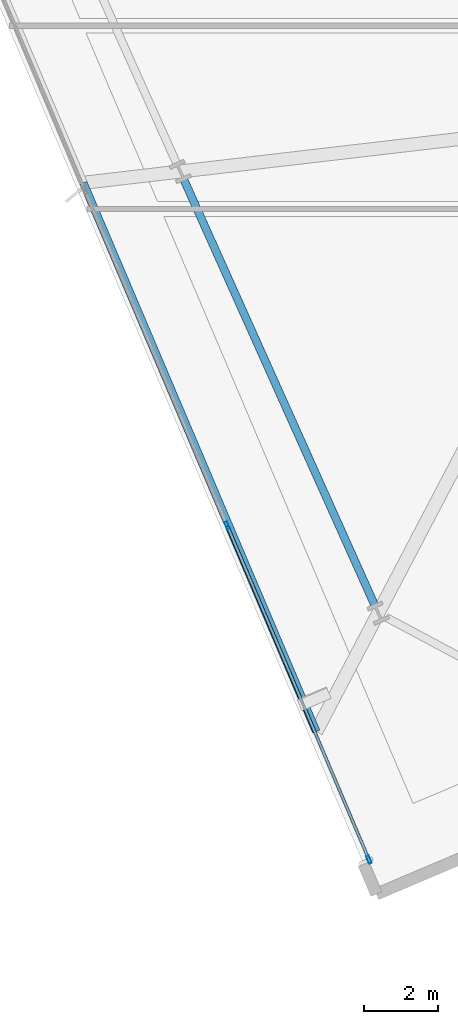
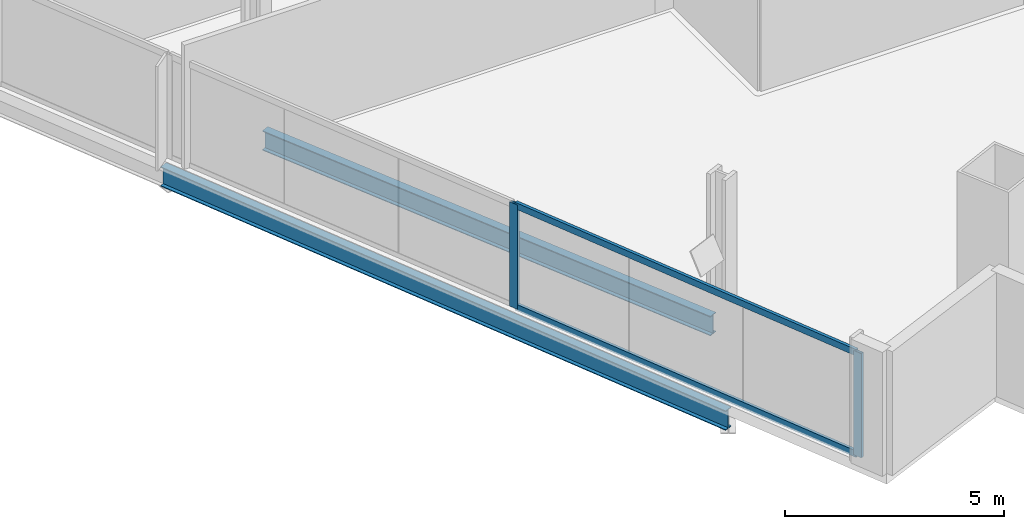
# One storey, part 2 of 34: 4 members, 2 beams, 1 element without a shape of its own.
"""IFC4 building model written with IfcOpenShell, lengths in metres."""

import ifcopenshell
import ifcopenshell.guid

model = None  # the IFC model being written
_history = None  # IfcOwnerHistory: only IFC2X3 demands one
_inside = {}  # id of a spatial element -> (the spatial element, [elements in it])
_under = {}  # id of a project, library or spatial element -> (it, [spatial elements below it])
_declared = {}  # id of a project -> (the project, [libraries it declares])
_typed = {}  # id of a type object -> (the type object, [elements of that type])
_made_of = {}  # id of a material, layer set ... -> (it, [elements and type objects made of it])


def new_model(schema):
    """Start an empty IFC model of exactly this schema.

    Asked for "IFC4X3", IfcOpenShell would pick the latest addendum, in which some entities
    have other attributes; the version numbers below select the first issue.
    IFC2X3 requires an IfcOwnerHistory on every rooted entity: one is made here for all.
    """
    global model, _history
    if schema == "IFC4X3":
        model = ifcopenshell.file(schema_version=(4, 3, 0, 0))
    else:
        model = ifcopenshell.file(schema=schema)
    _inside.clear()
    _under.clear()
    _declared.clear()
    _typed.clear()
    _made_of.clear()
    _history = None
    if model.schema == "IFC2X3":
        org = make("IfcOrganization", Name="unknown")
        user = make(
            "IfcPersonAndOrganization",
            ThePerson=make("IfcPerson", FamilyName="unknown"),
            TheOrganization=org,
        )
        app = make(
            "IfcApplication",
            ApplicationDeveloper=org,
            Version="unknown",
            ApplicationFullName="unknown",
            ApplicationIdentifier="unknown",
        )
        _history = make(
            "IfcOwnerHistory",
            OwningUser=user,
            OwningApplication=app,
            ChangeAction="ADDED",
            CreationDate=0,
        )
    return model


def make(cls, **values):
    """One entity of the class cls with the attributes given. An attribute that is None is left unset."""
    return model.create_entity(
        cls, **{name: value for name, value in values.items() if value is not None}
    )


def rooted(cls, **values):
    """An entity with a GlobalId (a new one), such as an element, a storey or a relation."""
    return make(cls, GlobalId=ifcopenshell.guid.new(), OwnerHistory=_history, **values)


def si_unit(unit_type, name, prefix=None):
    """IfcSIUnit, for example si_unit("LENGTHUNIT", "METRE", prefix="MILLI")."""
    return make("IfcSIUnit", UnitType=unit_type, Prefix=prefix, Name=name)


def assignment(units):
    """IfcUnitAssignment: the units of a project."""
    return None if units is None else make("IfcUnitAssignment", Units=units)


def point(xyz):
    """IfcCartesianPoint."""
    return None if xyz is None else make("IfcCartesianPoint", Coordinates=xyz)


def direction(xyz):
    """IfcDirection."""
    return None if xyz is None else make("IfcDirection", DirectionRatios=xyz)


def frame(location, z_axis=None, x_axis=None):
    """IfcAxis2Placement3D, a coordinate frame: its origin and axes. An axis left out is left unset."""
    return make(
        "IfcAxis2Placement3D",
        Location=point(location),
        Axis=direction(z_axis),
        RefDirection=direction(x_axis),
    )


def frame_2d(location, x_axis=None):
    """IfcAxis2Placement2D, a coordinate frame in the plane: its origin and x axis."""
    return make(
        "IfcAxis2Placement2D", Location=point(location), RefDirection=direction(x_axis)
    )


def origin():
    """The frame at (0, 0, 0) with its axes left unset."""
    return frame((0.0, 0.0, 0.0))


def origin_2d():
    """The frame at (0, 0) in the plane with its x axis left unset."""
    return frame_2d((0.0, 0.0))


def place(relative_to, where):
    """IfcLocalPlacement: puts the frame where relative to a parent placement (None: the world)."""
    return make(
        "IfcLocalPlacement", PlacementRelTo=relative_to, RelativePlacement=where
    )


def context(
    kind, dimensions, precision=None, world=None, true_north=None, identifier=None
):
    """IfcGeometricRepresentationContext, for example the 3D "Model" context."""
    return make(
        "IfcGeometricRepresentationContext",
        ContextIdentifier=identifier,
        ContextType=kind,
        CoordinateSpaceDimension=dimensions,
        Precision=precision,
        WorldCoordinateSystem=world,
        TrueNorth=true_north,
    )


def subcontext(parent, identifier, kind, view, scale=None):
    """IfcGeometricRepresentationSubContext, for example "Body" below "Model"."""
    return make(
        "IfcGeometricRepresentationSubContext",
        ContextIdentifier=identifier,
        ContextType=kind,
        ParentContext=parent,
        TargetScale=scale,
        TargetView=view,
    )


def project(units=None, contexts=None):
    """IfcProject with its units and contexts."""
    return rooted(
        "IfcProject",
        Name="project",
        RepresentationContexts=contexts,
        UnitsInContext=assignment(units),
    )


def spatial(cls, under=None, at=None, **own):
    """A site, building, storey or space (cls), placed at a placement, below another one or the project."""
    s = rooted(cls, ObjectPlacement=at, **own)
    if under is not None:
        _under.setdefault(under.id(), (under, []))[1].append(s)
    return s


def profile(cls, at=None, kind="AREA", **sizes):
    """A parametric profile (cls). Its sizes go by their IFC names, for example OverallWidth=200.0."""
    return make(cls, ProfileType=kind, Position=at, **sizes)


def hollow_rectangle(**sizes):
    """IfcRectangleHollowProfileDef."""
    return profile("IfcRectangleHollowProfileDef", **sizes)


def i_section(**sizes):
    """IfcIShapeProfileDef."""
    return profile("IfcIShapeProfileDef", **sizes)


def extrude(swept, where, along, depth):
    """IfcExtrudedAreaSolid: the profile swept, set in the frame where, extruded along a direction by depth."""
    return make(
        "IfcExtrudedAreaSolid",
        SweptArea=swept,
        Position=where,
        ExtrudedDirection=direction(along),
        Depth=depth,
    )


def shape(context_of_items, identifier, shape_type, items):
    """IfcShapeRepresentation: the items that make up one representation, for example the "Body"."""
    return make(
        "IfcShapeRepresentation",
        ContextOfItems=context_of_items,
        RepresentationIdentifier=identifier,
        RepresentationType=shape_type,
        Items=items,
    )


def material(Name=None, Category=None):
    """IfcMaterial."""
    return make("IfcMaterial", Name=Name, Category=Category)


def material_profile(
    of_material, cross_section, Name=None, Category=None, Priority=None
):
    """IfcMaterialProfile: a cross section and its material."""
    return make(
        "IfcMaterialProfile",
        Name=Name,
        Material=of_material,
        Profile=cross_section,
        Priority=Priority,
        Category=Category,
    )


def profile_set(profiles, Name=None, composite=None):
    """IfcMaterialProfileSet."""
    return make(
        "IfcMaterialProfileSet",
        Name=Name,
        MaterialProfiles=profiles,
        CompositeProfile=composite,
    )


def made_of(thing, what):
    """Note that an element or type object is made of a material, layer set ...; save() writes the relation."""
    if what is not None:
        _made_of.setdefault(what.id(), (what, []))[1].append(thing)
    return thing


def type_object(cls, material=None, **own):
    """A type object (cls), such as IfcWallType, which elements share."""
    return made_of(rooted(cls, **own), material)


def element(
    cls,
    number,
    at=None,
    inside=None,
    cuts=None,
    type_object=None,
    material=None,
    context=None,
    identifier="Body",
    shape_type=None,
    held_by="IfcProductDefinitionShape",
    body=None,
    shapes=None,
    **own,
):
    """One element of the class cls, such as IfcWall. Its Tag is "e" and its number.

    at: its placement. inside: the storey or other place that contains it. cuts: it is an
    opening in that element (IfcRelVoidsElement). A single representation is given by context,
    identifier, shape_type and body (its items); several are given by shapes. held_by: the class
    of the entity that holds the representations. save() writes the other relations.
    """
    e = rooted(cls, Tag="e%d" % number, ObjectPlacement=at, **own)
    if body is not None:
        shapes = [shape(context, identifier, shape_type, body)]
    if shapes is not None:
        e.Representation = make(held_by, Representations=shapes)
    if inside is not None:
        _inside.setdefault(inside.id(), (inside, []))[1].append(e)
    if cuts is not None:
        rooted(
            "IfcRelVoidsElement", RelatingBuildingElement=cuts, RelatedOpeningElement=e
        )
    if type_object is not None:
        _typed.setdefault(type_object.id(), (type_object, []))[1].append(e)
    return made_of(e, material)


def aggregate(whole, parts):
    """IfcRelAggregates: a whole, such as a stair, and the parts it consists of."""
    return rooted("IfcRelAggregates", RelatingObject=whole, RelatedObjects=parts)


def save(model, path):
    """Write the relations noted so far, then the file.

    IfcRelAggregates (storeys below a building ...), IfcRelContainedInSpatialStructure (elements
    in a storey), IfcRelDefinesByType, IfcRelAssociatesMaterial and IfcRelDeclares: one each for
    every whole, place, type object, material and project.
    """
    for whole, parts in _under.values():
        aggregate(whole, parts)
    for where, things in _inside.values():
        rooted(
            "IfcRelContainedInSpatialStructure",
            RelatedElements=things,
            RelatingStructure=where,
        )
    for kind, things in _typed.values():
        rooted("IfcRelDefinesByType", RelatedObjects=things, RelatingType=kind)
    for what, things in _made_of.values():
        rooted("IfcRelAssociatesMaterial", RelatedObjects=things, RelatingMaterial=what)
    for by, libraries in _declared.values():
        rooted("IfcRelDeclares", RelatingContext=by, RelatedDefinitions=libraries)
    model.write(path)


model = new_model("IFC4")

# Units and contexts
model_context = context("Model", 3, precision=1e-05, world=origin(), true_north=direction((0.0, 1.0)))
body_context = subcontext(model_context, "Body", "Model", "MODEL_VIEW")
ifc_project = project(units=[si_unit("LENGTHUNIT", "METRE"), si_unit("AREAUNIT", "SQUARE_METRE"), si_unit("VOLUMEUNIT", "CUBIC_METRE"), si_unit("PLANEANGLEUNIT", "RADIAN"), si_unit("MASSUNIT", "GRAM", prefix="KILO")], contexts=[model_context])

# Site, building, storey
site_placement = place(None, origin())
site = spatial("IfcSite", under=ifc_project, at=site_placement, CompositionType="ELEMENT")
building_placement = place(site_placement, origin())
building = spatial("IfcBuilding", under=site, at=building_placement, Name="Haldenkirk Collegiate Tower", CompositionType="ELEMENT")
storey_placement = place(building_placement, frame((0.0, 0.0, 105.449951171875)))
storey = spatial("IfcBuildingStorey", under=building, at=storey_placement, Name="L25", CompositionType="ELEMENT", Elevation=105.449951171875)

# Beams
ifc_material_1 = material(Name="Steel ASTM A992 Grade 50", Category="steel")
ifc_material_profile_1 = material_profile(ifc_material_1, i_section(OverallWidth=0.2119140625, OverallDepth=0.5439453125, WebThickness=0.01318359375, FlangeThickness=0.021240234375, at=origin_2d()), Name="W21X83")
ifc_profile_set_1 = profile_set([ifc_material_profile_1], Name="Steel ASTM A992 Grade 50")
beam_type = type_object("IfcBeamType", Name="BM-SPANDREL-W21X83", PredefinedType="SPANDREL", material=ifc_profile_set_1)
beam_1_placement = place(storey_placement, frame((14.742919921875, 16.3369140625, -0.572021484375), z_axis=(0.409131045523, -0.91247563671, 0.0), x_axis=(0.91247563671, 0.409131045523, 0.0)))
element("IfcBeam", 1, at=beam_1_placement, inside=storey, type_object=beam_type, Name="L25 perimeter spandrel beam 15", PredefinedType="SPANDREL", context=body_context, shape_type="SweptSolid", body=[
    extrude(i_section(OverallWidth=0.2119140625, OverallDepth=0.5439453125, WebThickness=0.01318359375, FlangeThickness=0.021240234375, at=origin_2d()), origin(), (0.0, 0.0, 1.0), 12.593994140625),
])
beam_2_placement = place(storey_placement, frame((12.021240234375, 16.255615234375, -0.572021484375), z_axis=(0.390723325205, -0.920508165711, 0.0), x_axis=(0.920508165711, 0.390723325205, 0.0)))
element("IfcBeam", 2, at=beam_2_placement, inside=storey, type_object=beam_type, Name="L25 outer facade edge beam 4B", PredefinedType="SPANDREL", context=body_context, shape_type="SweptSolid", body=[
    extrude(i_section(OverallWidth=0.2119140625, OverallDepth=0.5439453125, WebThickness=0.01318359375, FlangeThickness=0.021240234375, at=origin_2d()), origin(), (0.0, 0.0, 1.0), 16.118408203125),
])

# Curtain wall, members
ifc_material_2 = material(Name="Anodised architectural bronze aluminium", Category="aluminium")
curtain_wall_type = type_object("IfcCurtainWallType", Name="CW-SYS1-CONVEX-LOW", PredefinedType="USERDEFINED", material=ifc_material_2)
curtain_wall_placement = place(storey_placement, origin())
curtain_wall = element("IfcCurtainWall", 3, at=curtain_wall_placement, inside=storey, type_object=curtain_wall_type, Name="L25 Lower tower convex bronze-framed unitised curtain wall", ObjectType="UNITISED CURTAIN WALL", PredefinedType="USERDEFINED")
ifc_material_profile_2 = material_profile(ifc_material_2, hollow_rectangle(XDim=0.080078125, YDim=0.219970703125, WallThickness=0.0048828125, at=origin_2d()), Name="CW-MUL-1A")
ifc_profile_set_2 = profile_set([ifc_material_profile_2], Name="Anodised architectural bronze aluminium")
member_type_1 = type_object("IfcMemberType", Name="CW-MUL-1A", PredefinedType="MULLION", material=ifc_profile_set_2)
member_1_placement = place(storey_placement, frame((19.744140625, -2.040771484375, 0.0), z_axis=(0.0, 0.0, 1.0), x_axis=(-0.920505471827, -0.390729671687, 0.0)))
member_1 = element("IfcMember", 4, at=member_1_placement, type_object=member_type_1, Name="CW-1A mullion 1", PredefinedType="MULLION", context=body_context, shape_type="SweptSolid", body=[
    extrude(hollow_rectangle(XDim=0.080078125, YDim=0.219970703125, WallThickness=0.0048828125, at=origin_2d()), origin(), (0.0, 0.0, 1.0), 2.901123046875),
])
member_2_placement = place(storey_placement, frame((15.9111328125, 6.9892578125, 0.0), z_axis=(0.0, 0.0, 1.0), x_axis=(-0.920505471827, -0.390729671687, 0.0)))
member_2 = element("IfcMember", 5, at=member_2_placement, type_object=member_type_1, Name="CW-1A mullion 2", PredefinedType="MULLION", context=body_context, shape_type="SweptSolid", body=[
    extrude(hollow_rectangle(XDim=0.080078125, YDim=0.219970703125, WallThickness=0.0048828125, at=origin_2d()), origin(), (0.0, 0.0, 1.0), 2.901123046875),
])
ifc_material_profile_3 = material_profile(ifc_material_2, hollow_rectangle(XDim=0.080078125, YDim=0.179931640625, WallThickness=0.0048828125, at=origin_2d()), Name="CW-TRN-1A")
ifc_profile_set_3 = profile_set([ifc_material_profile_3], Name="Anodised architectural bronze aluminium")
member_type_2 = type_object("IfcMemberType", Name="CW-TRN-1A", PredefinedType="USERDEFINED", material=ifc_profile_set_3)
member_3_placement = place(storey_placement, frame((19.728515625, -2.00390625, 0.0400390625), z_axis=(-0.390725109397, 0.920507408382, 0.0), x_axis=(-0.920507408382, -0.390725109397, 0.0)))
member_3 = element("IfcMember", 6, at=member_3_placement, type_object=member_type_2, Name="CW-1A transom 1.1", ObjectType="TRANSOM", PredefinedType="USERDEFINED", context=body_context, shape_type="SweptSolid", body=[
    extrude(hollow_rectangle(XDim=0.080078125, YDim=0.179931640625, WallThickness=0.0048828125, at=origin_2d()), origin(), (0.0, 0.0, 1.0), 9.72998046875),
])
member_4_placement = place(storey_placement, frame((19.728515625, -2.00390625, 2.861083984375), z_axis=(-0.390725109397, 0.920507408382, 0.0), x_axis=(-0.920507408382, -0.390725109397, 0.0)))
member_4 = element("IfcMember", 7, at=member_4_placement, type_object=member_type_2, Name="CW-1A transom 1.2", ObjectType="TRANSOM", PredefinedType="USERDEFINED", context=body_context, shape_type="SweptSolid", body=[
    extrude(hollow_rectangle(XDim=0.080078125, YDim=0.179931640625, WallThickness=0.0048828125, at=origin_2d()), origin(), (0.0, 0.0, 1.0), 9.72998046875),
])
aggregate(curtain_wall, [member_1, member_2, member_3, member_4])

save(model, "model.ifc")
